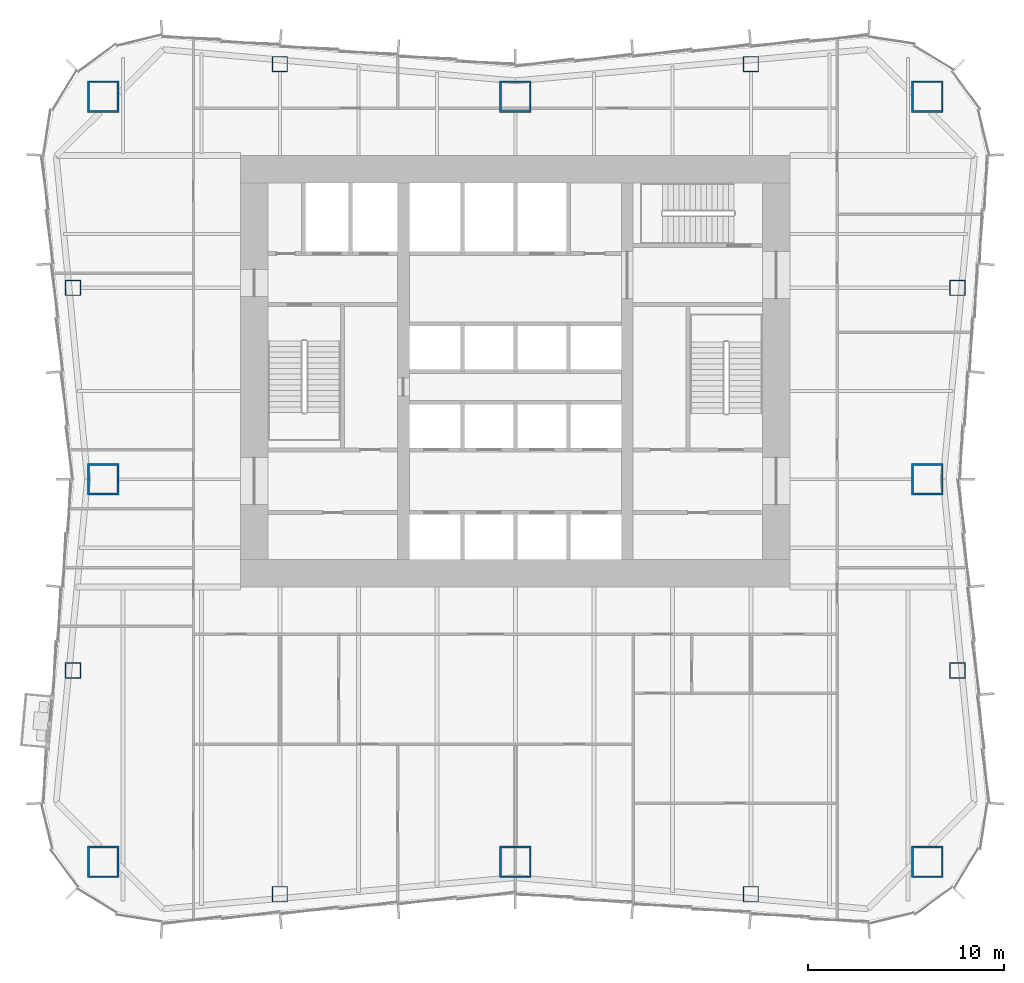
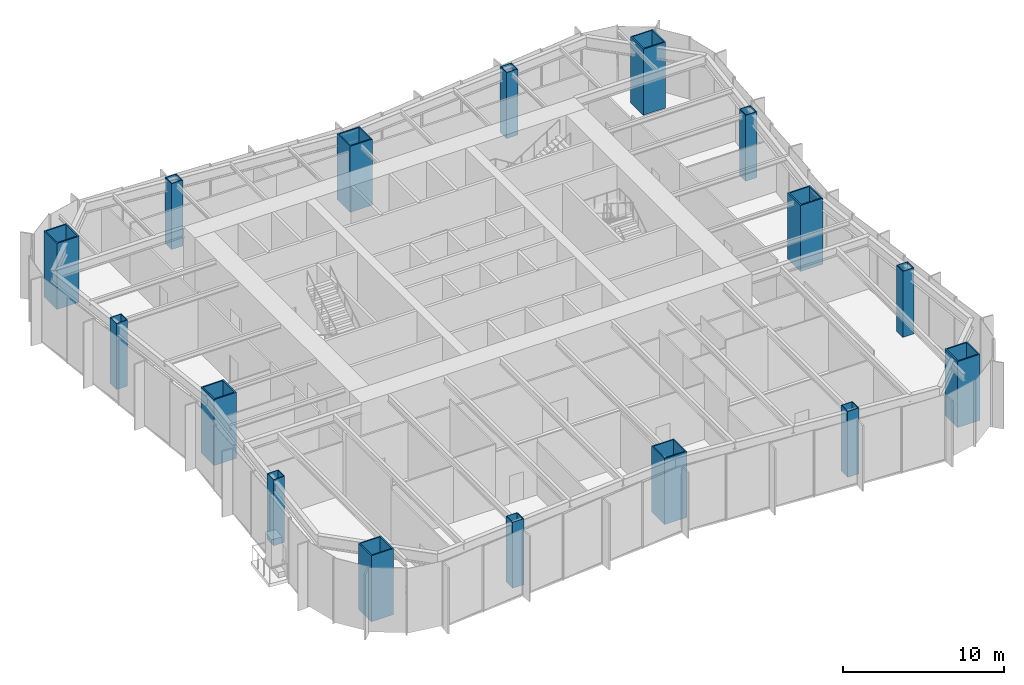
# One storey, part 1 of 14: 16 columns.
"""IFC4 building model written with IfcOpenShell, lengths in metres."""

import ifcopenshell
import ifcopenshell.guid

model = None  # the IFC model being written
_history = None  # IfcOwnerHistory: only IFC2X3 demands one
_inside = {}  # id of a spatial element -> (the spatial element, [elements in it])
_under = {}  # id of a project, library or spatial element -> (it, [spatial elements below it])
_declared = {}  # id of a project -> (the project, [libraries it declares])
_typed = {}  # id of a type object -> (the type object, [elements of that type])
_made_of = {}  # id of a material, layer set ... -> (it, [elements and type objects made of it])


def new_model(schema):
    """Start an empty IFC model of exactly this schema.

    Asked for "IFC4X3", IfcOpenShell would pick the latest addendum, in which some entities
    have other attributes; the version numbers below select the first issue.
    IFC2X3 requires an IfcOwnerHistory on every rooted entity: one is made here for all.
    """
    global model, _history
    if schema == "IFC4X3":
        model = ifcopenshell.file(schema_version=(4, 3, 0, 0))
    else:
        model = ifcopenshell.file(schema=schema)
    _inside.clear()
    _under.clear()
    _declared.clear()
    _typed.clear()
    _made_of.clear()
    _history = None
    if model.schema == "IFC2X3":
        org = make("IfcOrganization", Name="unknown")
        user = make(
            "IfcPersonAndOrganization",
            ThePerson=make("IfcPerson", FamilyName="unknown"),
            TheOrganization=org,
        )
        app = make(
            "IfcApplication",
            ApplicationDeveloper=org,
            Version="unknown",
            ApplicationFullName="unknown",
            ApplicationIdentifier="unknown",
        )
        _history = make(
            "IfcOwnerHistory",
            OwningUser=user,
            OwningApplication=app,
            ChangeAction="ADDED",
            CreationDate=0,
        )
    return model


def make(cls, **values):
    """One entity of the class cls with the attributes given. An attribute that is None is left unset."""
    return model.create_entity(
        cls, **{name: value for name, value in values.items() if value is not None}
    )


def rooted(cls, **values):
    """An entity with a GlobalId (a new one), such as an element, a storey or a relation."""
    return make(cls, GlobalId=ifcopenshell.guid.new(), OwnerHistory=_history, **values)


def si_unit(unit_type, name, prefix=None):
    """IfcSIUnit, for example si_unit("LENGTHUNIT", "METRE", prefix="MILLI")."""
    return make("IfcSIUnit", UnitType=unit_type, Prefix=prefix, Name=name)


def assignment(units):
    """IfcUnitAssignment: the units of a project."""
    return None if units is None else make("IfcUnitAssignment", Units=units)


def point(xyz):
    """IfcCartesianPoint."""
    return None if xyz is None else make("IfcCartesianPoint", Coordinates=xyz)


def direction(xyz):
    """IfcDirection."""
    return None if xyz is None else make("IfcDirection", DirectionRatios=xyz)


def frame(location, z_axis=None, x_axis=None):
    """IfcAxis2Placement3D, a coordinate frame: its origin and axes. An axis left out is left unset."""
    return make(
        "IfcAxis2Placement3D",
        Location=point(location),
        Axis=direction(z_axis),
        RefDirection=direction(x_axis),
    )


def frame_2d(location, x_axis=None):
    """IfcAxis2Placement2D, a coordinate frame in the plane: its origin and x axis."""
    return make(
        "IfcAxis2Placement2D", Location=point(location), RefDirection=direction(x_axis)
    )


def origin():
    """The frame at (0, 0, 0) with its axes left unset."""
    return frame((0.0, 0.0, 0.0))


def origin_2d():
    """The frame at (0, 0) in the plane with its x axis left unset."""
    return frame_2d((0.0, 0.0))


def place(relative_to, where):
    """IfcLocalPlacement: puts the frame where relative to a parent placement (None: the world)."""
    return make(
        "IfcLocalPlacement", PlacementRelTo=relative_to, RelativePlacement=where
    )


def context(
    kind, dimensions, precision=None, world=None, true_north=None, identifier=None
):
    """IfcGeometricRepresentationContext, for example the 3D "Model" context."""
    return make(
        "IfcGeometricRepresentationContext",
        ContextIdentifier=identifier,
        ContextType=kind,
        CoordinateSpaceDimension=dimensions,
        Precision=precision,
        WorldCoordinateSystem=world,
        TrueNorth=true_north,
    )


def subcontext(parent, identifier, kind, view, scale=None):
    """IfcGeometricRepresentationSubContext, for example "Body" below "Model"."""
    return make(
        "IfcGeometricRepresentationSubContext",
        ContextIdentifier=identifier,
        ContextType=kind,
        ParentContext=parent,
        TargetScale=scale,
        TargetView=view,
    )


def project(units=None, contexts=None):
    """IfcProject with its units and contexts."""
    return rooted(
        "IfcProject",
        Name="project",
        RepresentationContexts=contexts,
        UnitsInContext=assignment(units),
    )


def spatial(cls, under=None, at=None, **own):
    """A site, building, storey or space (cls), placed at a placement, below another one or the project."""
    s = rooted(cls, ObjectPlacement=at, **own)
    if under is not None:
        _under.setdefault(under.id(), (under, []))[1].append(s)
    return s


def profile(cls, at=None, kind="AREA", **sizes):
    """A parametric profile (cls). Its sizes go by their IFC names, for example OverallWidth=200.0."""
    return make(cls, ProfileType=kind, Position=at, **sizes)


def hollow_rectangle(**sizes):
    """IfcRectangleHollowProfileDef."""
    return profile("IfcRectangleHollowProfileDef", **sizes)


def extrude(swept, where, along, depth):
    """IfcExtrudedAreaSolid: the profile swept, set in the frame where, extruded along a direction by depth."""
    return make(
        "IfcExtrudedAreaSolid",
        SweptArea=swept,
        Position=where,
        ExtrudedDirection=direction(along),
        Depth=depth,
    )


def shape(context_of_items, identifier, shape_type, items):
    """IfcShapeRepresentation: the items that make up one representation, for example the "Body"."""
    return make(
        "IfcShapeRepresentation",
        ContextOfItems=context_of_items,
        RepresentationIdentifier=identifier,
        RepresentationType=shape_type,
        Items=items,
    )


def material(Name=None, Category=None):
    """IfcMaterial."""
    return make("IfcMaterial", Name=Name, Category=Category)


def material_profile(
    of_material, cross_section, Name=None, Category=None, Priority=None
):
    """IfcMaterialProfile: a cross section and its material."""
    return make(
        "IfcMaterialProfile",
        Name=Name,
        Material=of_material,
        Profile=cross_section,
        Priority=Priority,
        Category=Category,
    )


def profile_set(profiles, Name=None, composite=None):
    """IfcMaterialProfileSet."""
    return make(
        "IfcMaterialProfileSet",
        Name=Name,
        MaterialProfiles=profiles,
        CompositeProfile=composite,
    )


def made_of(thing, what):
    """Note that an element or type object is made of a material, layer set ...; save() writes the relation."""
    if what is not None:
        _made_of.setdefault(what.id(), (what, []))[1].append(thing)
    return thing


def type_object(cls, material=None, **own):
    """A type object (cls), such as IfcWallType, which elements share."""
    return made_of(rooted(cls, **own), material)


def element(
    cls,
    number,
    at=None,
    inside=None,
    cuts=None,
    type_object=None,
    material=None,
    context=None,
    identifier="Body",
    shape_type=None,
    held_by="IfcProductDefinitionShape",
    body=None,
    shapes=None,
    **own,
):
    """One element of the class cls, such as IfcWall. Its Tag is "e" and its number.

    at: its placement. inside: the storey or other place that contains it. cuts: it is an
    opening in that element (IfcRelVoidsElement). A single representation is given by context,
    identifier, shape_type and body (its items); several are given by shapes. held_by: the class
    of the entity that holds the representations. save() writes the other relations.
    """
    e = rooted(cls, Tag="e%d" % number, ObjectPlacement=at, **own)
    if body is not None:
        shapes = [shape(context, identifier, shape_type, body)]
    if shapes is not None:
        e.Representation = make(held_by, Representations=shapes)
    if inside is not None:
        _inside.setdefault(inside.id(), (inside, []))[1].append(e)
    if cuts is not None:
        rooted(
            "IfcRelVoidsElement", RelatingBuildingElement=cuts, RelatedOpeningElement=e
        )
    if type_object is not None:
        _typed.setdefault(type_object.id(), (type_object, []))[1].append(e)
    return made_of(e, material)


def aggregate(whole, parts):
    """IfcRelAggregates: a whole, such as a stair, and the parts it consists of."""
    return rooted("IfcRelAggregates", RelatingObject=whole, RelatedObjects=parts)


def save(model, path):
    """Write the relations noted so far, then the file.

    IfcRelAggregates (storeys below a building ...), IfcRelContainedInSpatialStructure (elements
    in a storey), IfcRelDefinesByType, IfcRelAssociatesMaterial and IfcRelDeclares: one each for
    every whole, place, type object, material and project.
    """
    for whole, parts in _under.values():
        aggregate(whole, parts)
    for where, things in _inside.values():
        rooted(
            "IfcRelContainedInSpatialStructure",
            RelatedElements=things,
            RelatingStructure=where,
        )
    for kind, things in _typed.values():
        rooted("IfcRelDefinesByType", RelatedObjects=things, RelatingType=kind)
    for what, things in _made_of.values():
        rooted("IfcRelAssociatesMaterial", RelatedObjects=things, RelatingMaterial=what)
    for by, libraries in _declared.values():
        rooted("IfcRelDeclares", RelatingContext=by, RelatedDefinitions=libraries)
    model.write(path)


model = new_model("IFC4")

# Units and contexts
model_context = context("Model", 3, precision=1e-05, world=origin(), true_north=direction((0.0, 1.0)))
body_context = subcontext(model_context, "Body", "Model", "MODEL_VIEW")
ifc_project = project(units=[si_unit("LENGTHUNIT", "METRE"), si_unit("AREAUNIT", "SQUARE_METRE"), si_unit("VOLUMEUNIT", "CUBIC_METRE"), si_unit("PLANEANGLEUNIT", "RADIAN"), si_unit("MASSUNIT", "GRAM", prefix="KILO")], contexts=[model_context])

# Site, building, storey
site_placement = place(None, origin())
site = spatial("IfcSite", under=ifc_project, at=site_placement, CompositionType="ELEMENT")
building_placement = place(site_placement, origin())
building = spatial("IfcBuilding", under=site, at=building_placement, Name="Verdant Reach Tower", CompositionType="ELEMENT")
storey_placement = place(building_placement, frame((0.0, 0.0, 9.0)))
storey = spatial("IfcBuildingStorey", under=building, at=storey_placement, Name="L01", CompositionType="ELEMENT", Elevation=9.0)

# Columns
ifc_material = material(Name="Steel S460", Category="steel")
ifc_material_profile_1 = material_profile(ifc_material, hollow_rectangle(XDim=1.60009765625, YDim=1.60009765625, WallThickness=0.090087890625, at=origin_2d()), Name="WB 1600x1600x90")
ifc_profile_set_1 = profile_set([ifc_material_profile_1], Name="Steel S460")
column_type_1 = type_object("IfcColumnType", Name="ST-COL-WB1600x1600x90", PredefinedType="COLUMN", material=ifc_profile_set_1)
for number, where, z_axis, x_axis, name in (
    (1, (-21.0, 42.0, 0.0), (0.0, 0.0, 1.0), (1.0, 0.0, 0.0), "Mega column north-west, L01"),
    (2, (0.0, 42.0, 0.0), (0.0, 0.0, 1.0), (1.0, 0.0, 0.0), "Mega column north, L01"),
    (3, (21.0, 42.0, 0.0), (0.0, 0.0, 1.0), (1.0, 0.0, 0.0), "Mega column north-east, L01"),
    (4, (21.0, 22.5, 0.0), (0.0, 0.0, 1.0), (1.0, 0.0, 0.0), "Mega column east, L01"),
    (5, (21.0, 3.0, 0.0), (0.0, 0.0, 1.0), (1.0, 0.0, 0.0), "Mega column south-east, L01"),
    (6, (0.0, 3.0, 0.0), (0.0, 0.0, 1.0), (1.0, 0.0, 0.0), "Mega column south, L01"),
    (7, (-21.0, 3.0, 0.0), (0.0, 0.0, 1.0), (1.0, 0.0, 0.0), "Mega column south-west, L01"),
    (8, (-21.0, 22.5, 0.0), (0.0, 0.0, 1.0), (1.0, 0.0, 0.0), "Mega column west, L01"),
):
    element("IfcColumn", number, at=place(storey_placement, frame(where, z_axis=z_axis, x_axis=x_axis)), inside=storey, type_object=column_type_1, Name=name, PredefinedType="COLUMN", context=body_context, shape_type="SweptSolid", body=[
        extrude(hollow_rectangle(XDim=1.60009765625, YDim=1.60009765625, WallThickness=0.090087890625, at=origin_2d()), origin(), (0.0, 0.0, 1.0), 5.0),
    ])
ifc_material_profile_2 = material_profile(ifc_material, hollow_rectangle(XDim=0.800048828125, YDim=0.800048828125, WallThickness=0.0400390625, at=origin_2d()), Name="WB 800x800x40")
ifc_profile_set_2 = profile_set([ifc_material_profile_2], Name="Steel S460")
column_type_2 = type_object("IfcColumnType", Name="ST-COL-WB800x800x40", PredefinedType="COLUMN", material=ifc_profile_set_2)
for number, where, z_axis, x_axis, name in (
    (9, (-12.0, 43.64990234375, 0.0), (0.0, 0.0, 1.0), (1.0, 0.0, 0.0), "Perimeter column north 1, L01"),
    (10, (12.0, 43.64990234375, 0.0), (0.0, 0.0, 1.0), (1.0, 0.0, 0.0), "Perimeter column north 2, L01"),
    (11, (-12.0, 1.35009765625, 0.0), (0.0, 0.0, 1.0), (1.0, 0.0, 0.0), "Perimeter column south 1, L01"),
    (12, (12.0, 1.35009765625, 0.0), (0.0, 0.0, 1.0), (1.0, 0.0, 0.0), "Perimeter column south 2, L01"),
    (13, (22.536376953125, 12.75, 0.0), (0.0, 0.0, 1.0), (1.0, 0.0, 0.0), "Perimeter column east 1, L01"),
    (14, (22.536376953125, 32.25, 0.0), (0.0, 0.0, 1.0), (1.0, 0.0, 0.0), "Perimeter column east 2, L01"),
    (15, (-22.536376953125, 12.75, 0.0), (0.0, 0.0, 1.0), (1.0, 0.0, 0.0), "Perimeter column west 1, L01"),
    (16, (-22.536376953125, 32.25, 0.0), (0.0, 0.0, 1.0), (1.0, 0.0, 0.0), "Perimeter column west 2, L01"),
):
    element("IfcColumn", number, at=place(storey_placement, frame(where, z_axis=z_axis, x_axis=x_axis)), inside=storey, type_object=column_type_2, Name=name, PredefinedType="COLUMN", context=body_context, shape_type="SweptSolid", body=[
        extrude(hollow_rectangle(XDim=0.800048828125, YDim=0.800048828125, WallThickness=0.0400390625, at=origin_2d()), origin(), (0.0, 0.0, 1.0), 5.0),
    ])

save(model, "model.ifc")
